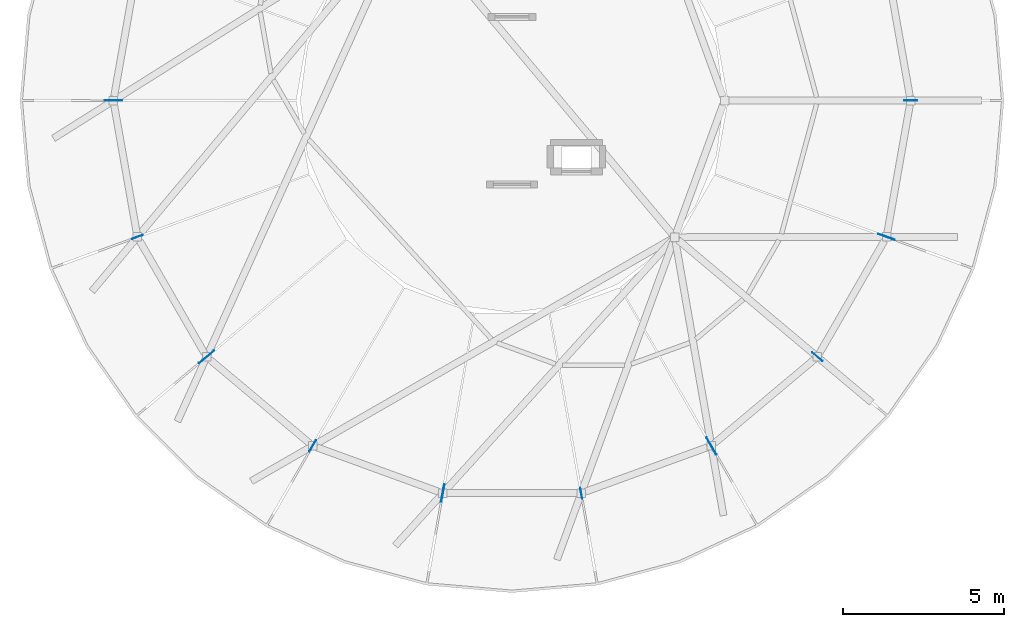
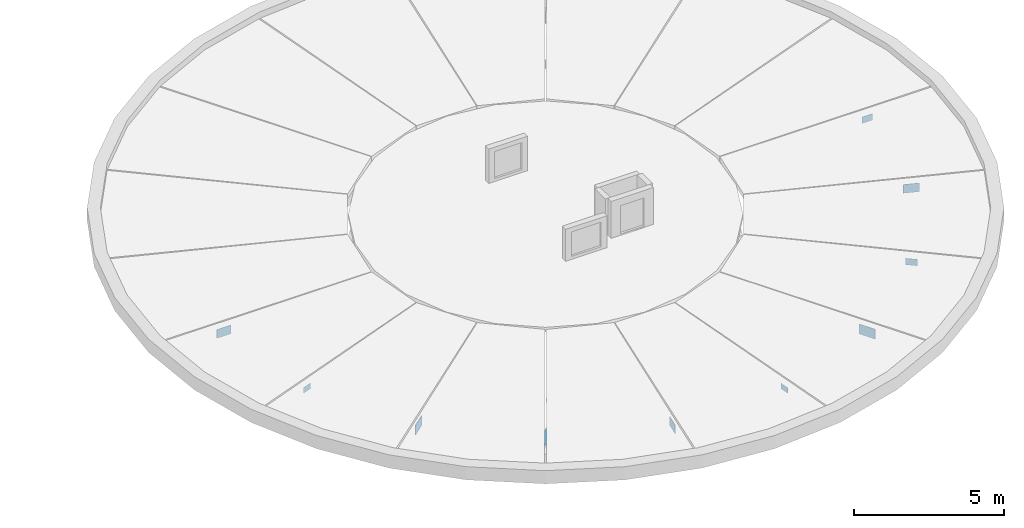
# One storey, part 5 of 14: 10 plates.
"""IFC4 building model written with IfcOpenShell, lengths in metres."""

from ifc_helpers import new_model, si_unit, direction, frame, origin, origin_2d, place, context, subcontext, project, spatial, rectangle, extrude, material, layer, layer_set, type_object, element, save


model = new_model("IFC4")

# Units and contexts
model_context = context("Model", 3, precision=1e-05, world=origin(), true_north=direction((0.0, 1.0)))
body_context = subcontext(model_context, "Body", "Model", "MODEL_VIEW")
ifc_project = project(units=[si_unit("LENGTHUNIT", "METRE"), si_unit("AREAUNIT", "SQUARE_METRE"), si_unit("VOLUMEUNIT", "CUBIC_METRE"), si_unit("PLANEANGLEUNIT", "RADIAN"), si_unit("MASSUNIT", "GRAM", prefix="KILO")], contexts=[model_context])

# Site, building, storey
site_placement = place(None, origin())
site = spatial("IfcSite", under=ifc_project, at=site_placement, CompositionType="ELEMENT")
building_placement = place(site_placement, origin())
building = spatial("IfcBuilding", under=site, at=building_placement, Name="Aldenvaro Health Centre", CompositionType="ELEMENT")
storey_placement = place(building_placement, frame((0.0, 0.0, 21.35009765625)))
storey = spatial("IfcBuildingStorey", under=building, at=storey_placement, Name="L05", CompositionType="ELEMENT", Elevation=21.35009765625)

# Plates
ifc_material = material(Name="Steel ASTM A572 Grade 50", Category="steel")
ifc_layer_1 = layer(ifc_material, 0.013916015625, Name="Steel ASTM A572 Grade 50", Category="steel")
ifc_layer_set_1 = layer_set([ifc_layer_1], Name="Steel ASTM A572 Grade 50")
plate_type_1 = type_object("IfcPlateType", Name="PLT-GUS-07", PredefinedType="SHEET", material=ifc_layer_set_1)
for number, where, z_axis, x_axis, name in (
    (1, (30.8798828125, 18.5, 0.24267578125), (0.0, 0.0, 1.0), (1.0, 0.0, 0.0), "D5 Rafter Eave Gusset 01"),
    (2, (12.31005859375, 7.779052734375, 0.24267578125), (0.0, 0.0, 1.0), (-0.500013798627, -0.866017436997, 0.0), "D5 Rafter Eave Gusset 13"),
    (3, (27.98388671875, 10.5419921875, 0.24267578125), (0.0, 0.0, 1.0), (0.766045274451, -0.642786618942, 0.0), "D5 Rafter Eave Gusset 17"),
):
    element("IfcPlate", number, at=place(storey_placement, frame(where, z_axis=z_axis, x_axis=x_axis)), inside=storey, type_object=plate_type_1, Name=name, PredefinedType="SHEET", context=body_context, shape_type="SweptSolid", body=[
        extrude(rectangle(XDim=0.409912109375, YDim=0.013916015625, at=origin_2d()), origin(), (0.0, 0.0, 1.0), 0.260009765625),
    ])
ifc_layer_2 = layer(ifc_material, 0.01904296875, Name="Steel ASTM A572 Grade 50", Category="steel")
ifc_layer_set_2 = layer_set([ifc_layer_2], Name="Steel ASTM A572 Grade 50")
plate_type_2 = type_object("IfcPlateType", Name="PLT-GUS-08", PredefinedType="SHEET", material=ifc_layer_set_2)
for number, where, z_axis, x_axis, name in (
    (4, (6.1201171875, 18.5, 0.19775390625), (0.0, 0.0, 1.0), (-1.0, 0.0, 0.0), "D5 Rafter Eave Gusset 10"),
    (5, (16.35009765625, 6.30810546875, 0.19775390625), (0.0, 0.0, 1.0), (-0.173665525902, -0.984804693893, 0.0), "D5 Rafter Eave Gusset 14"),
    (6, (30.133056640625, 14.26611328125, 0.19775390625), (0.0, 0.0, 1.0), (0.939694327372, -0.342015454484, 0.0), "D5 Rafter Eave Gusset 18"),
):
    element("IfcPlate", number, at=place(storey_placement, frame(where, z_axis=z_axis, x_axis=x_axis)), inside=storey, type_object=plate_type_2, Name=name, PredefinedType="SHEET", context=body_context, shape_type="SweptSolid", body=[
        extrude(rectangle(XDim=0.550048828125, YDim=0.01904296875, at=origin_2d()), origin(), (0.0, 0.0, 1.0), 0.35009765625),
    ])
ifc_layer_3 = layer(ifc_material, 0.011962890625, Name="Steel ASTM A572 Grade 50", Category="steel")
ifc_layer_set_3 = layer_set([ifc_layer_3], Name="Steel ASTM A572 Grade 50")
plate_type_3 = type_object("IfcPlateType", Name="PLT-GUS-09", PredefinedType="SHEET", material=ifc_layer_set_3)
for number, where, z_axis, x_axis, name in (
    (7, (6.866943359375, 14.26611328125, 0.2626953125), (0.0, 0.0, 1.0), (-0.939694327372, -0.342015454484, 0.0), "D5 Rafter Eave Gusset 11"),
    (8, (20.64990234375, 6.30810546875, 0.2626953125), (0.0, 0.0, 1.0), (0.173665525902, -0.984804693893, 0.0), "D5 Rafter Eave Gusset 15"),
):
    element("IfcPlate", number, at=place(storey_placement, frame(where, z_axis=z_axis, x_axis=x_axis)), inside=storey, type_object=plate_type_3, Name=name, PredefinedType="SHEET", context=body_context, shape_type="SweptSolid", body=[
        extrude(rectangle(XDim=0.35009765625, YDim=0.011962890625, at=origin_2d()), origin(), (0.0, 0.0, 1.0), 0.219970703125),
    ])
ifc_layer_4 = layer(ifc_material, 0.02099609375, Name="Steel ASTM A572 Grade 50", Category="steel")
ifc_layer_set_4 = layer_set([ifc_layer_4], Name="Steel ASTM A572 Grade 50")
plate_type_4 = type_object("IfcPlateType", Name="PLT-GUS-10", PredefinedType="SHEET", material=ifc_layer_set_4)
for number, where, z_axis, x_axis, name in (
    (9, (9.01611328125, 10.5419921875, 0.1728515625), (0.0, 0.0, 1.0), (-0.766045274451, -0.642786618942, 0.0), "D5 Rafter Eave Gusset 12"),
    (10, (24.68994140625, 7.779052734375, 0.1728515625), (0.0, 0.0, 1.0), (0.500013798627, -0.866017436997, 0.0), "D5 Rafter Eave Gusset 16"),
):
    element("IfcPlate", number, at=place(storey_placement, frame(where, z_axis=z_axis, x_axis=x_axis)), inside=storey, type_object=plate_type_4, Name=name, PredefinedType="SHEET", context=body_context, shape_type="SweptSolid", body=[
        extrude(rectangle(XDim=0.610107421875, YDim=0.02099609375, at=origin_2d()), origin(), (0.0, 0.0, 1.0), 0.39990234375),
    ])

save(model, "model.ifc")
